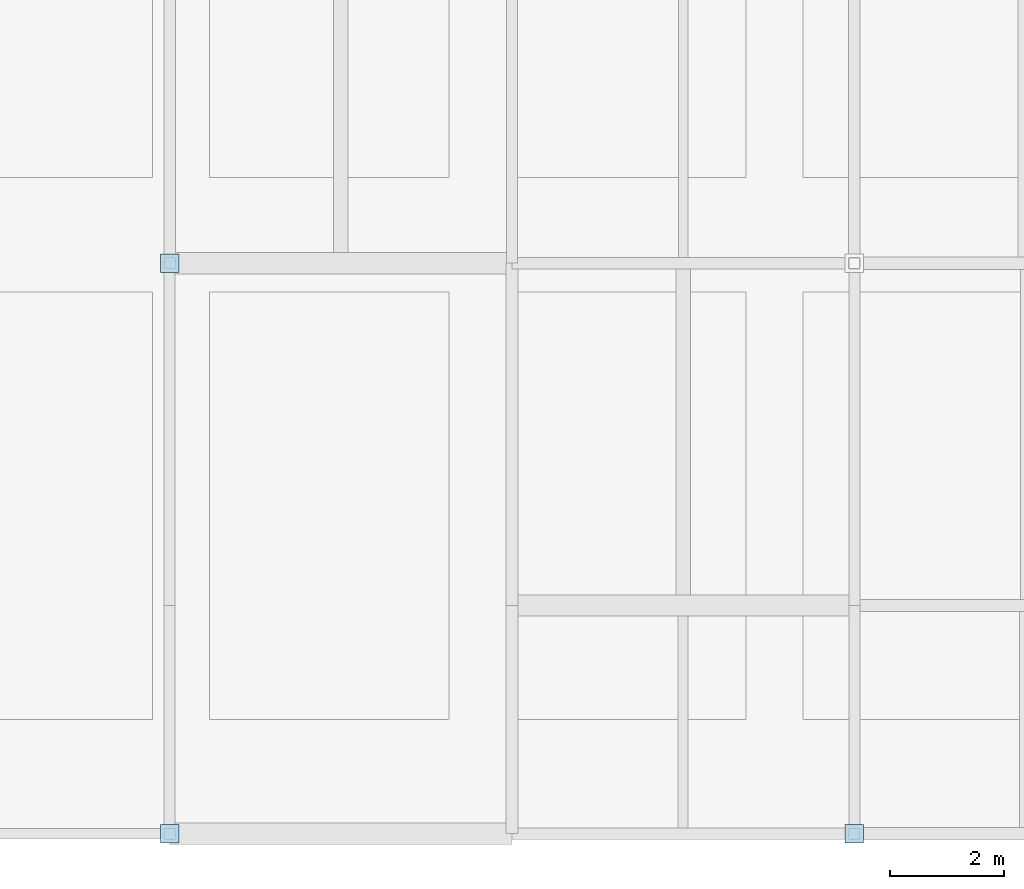
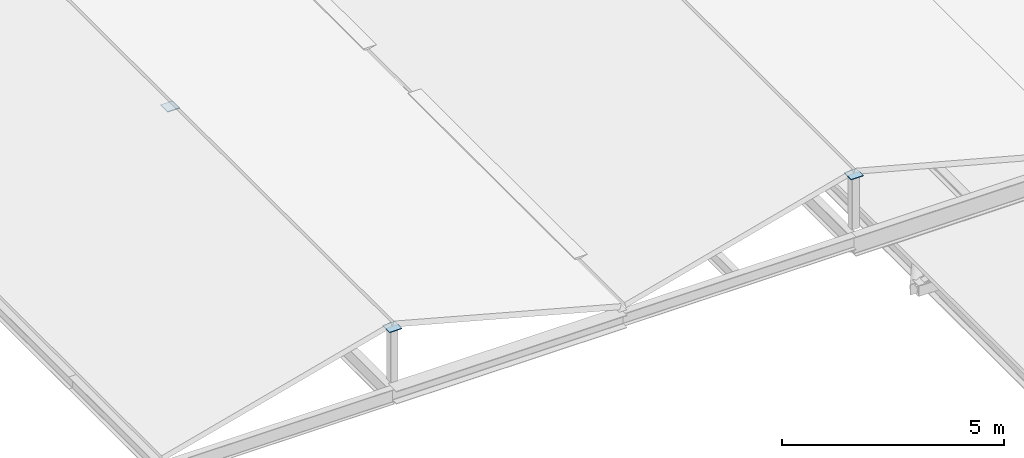
# One storey, part 8 of 27: 3 plates.
"""IFC4 building model written with IfcOpenShell, lengths in metres."""

import ifcopenshell
import ifcopenshell.guid

model = None  # the IFC model being written
_history = None  # IfcOwnerHistory: only IFC2X3 demands one
_inside = {}  # id of a spatial element -> (the spatial element, [elements in it])
_under = {}  # id of a project, library or spatial element -> (it, [spatial elements below it])
_declared = {}  # id of a project -> (the project, [libraries it declares])
_typed = {}  # id of a type object -> (the type object, [elements of that type])
_made_of = {}  # id of a material, layer set ... -> (it, [elements and type objects made of it])


def new_model(schema):
    """Start an empty IFC model of exactly this schema.

    Asked for "IFC4X3", IfcOpenShell would pick the latest addendum, in which some entities
    have other attributes; the version numbers below select the first issue.
    IFC2X3 requires an IfcOwnerHistory on every rooted entity: one is made here for all.
    """
    global model, _history
    if schema == "IFC4X3":
        model = ifcopenshell.file(schema_version=(4, 3, 0, 0))
    else:
        model = ifcopenshell.file(schema=schema)
    _inside.clear()
    _under.clear()
    _declared.clear()
    _typed.clear()
    _made_of.clear()
    _history = None
    if model.schema == "IFC2X3":
        org = make("IfcOrganization", Name="unknown")
        user = make(
            "IfcPersonAndOrganization",
            ThePerson=make("IfcPerson", FamilyName="unknown"),
            TheOrganization=org,
        )
        app = make(
            "IfcApplication",
            ApplicationDeveloper=org,
            Version="unknown",
            ApplicationFullName="unknown",
            ApplicationIdentifier="unknown",
        )
        _history = make(
            "IfcOwnerHistory",
            OwningUser=user,
            OwningApplication=app,
            ChangeAction="ADDED",
            CreationDate=0,
        )
    return model


def make(cls, **values):
    """One entity of the class cls with the attributes given. An attribute that is None is left unset."""
    return model.create_entity(
        cls, **{name: value for name, value in values.items() if value is not None}
    )


def rooted(cls, **values):
    """An entity with a GlobalId (a new one), such as an element, a storey or a relation."""
    return make(cls, GlobalId=ifcopenshell.guid.new(), OwnerHistory=_history, **values)


def si_unit(unit_type, name, prefix=None):
    """IfcSIUnit, for example si_unit("LENGTHUNIT", "METRE", prefix="MILLI")."""
    return make("IfcSIUnit", UnitType=unit_type, Prefix=prefix, Name=name)


def assignment(units):
    """IfcUnitAssignment: the units of a project."""
    return None if units is None else make("IfcUnitAssignment", Units=units)


def point(xyz):
    """IfcCartesianPoint."""
    return None if xyz is None else make("IfcCartesianPoint", Coordinates=xyz)


def direction(xyz):
    """IfcDirection."""
    return None if xyz is None else make("IfcDirection", DirectionRatios=xyz)


def frame(location, z_axis=None, x_axis=None):
    """IfcAxis2Placement3D, a coordinate frame: its origin and axes. An axis left out is left unset."""
    return make(
        "IfcAxis2Placement3D",
        Location=point(location),
        Axis=direction(z_axis),
        RefDirection=direction(x_axis),
    )


def frame_2d(location, x_axis=None):
    """IfcAxis2Placement2D, a coordinate frame in the plane: its origin and x axis."""
    return make(
        "IfcAxis2Placement2D", Location=point(location), RefDirection=direction(x_axis)
    )


def origin():
    """The frame at (0, 0, 0) with its axes left unset."""
    return frame((0.0, 0.0, 0.0))


def origin_2d():
    """The frame at (0, 0) in the plane with its x axis left unset."""
    return frame_2d((0.0, 0.0))


def place(relative_to, where):
    """IfcLocalPlacement: puts the frame where relative to a parent placement (None: the world)."""
    return make(
        "IfcLocalPlacement", PlacementRelTo=relative_to, RelativePlacement=where
    )


def context(
    kind, dimensions, precision=None, world=None, true_north=None, identifier=None
):
    """IfcGeometricRepresentationContext, for example the 3D "Model" context."""
    return make(
        "IfcGeometricRepresentationContext",
        ContextIdentifier=identifier,
        ContextType=kind,
        CoordinateSpaceDimension=dimensions,
        Precision=precision,
        WorldCoordinateSystem=world,
        TrueNorth=true_north,
    )


def subcontext(parent, identifier, kind, view, scale=None):
    """IfcGeometricRepresentationSubContext, for example "Body" below "Model"."""
    return make(
        "IfcGeometricRepresentationSubContext",
        ContextIdentifier=identifier,
        ContextType=kind,
        ParentContext=parent,
        TargetScale=scale,
        TargetView=view,
    )


def project(units=None, contexts=None):
    """IfcProject with its units and contexts."""
    return rooted(
        "IfcProject",
        Name="project",
        RepresentationContexts=contexts,
        UnitsInContext=assignment(units),
    )


def spatial(cls, under=None, at=None, **own):
    """A site, building, storey or space (cls), placed at a placement, below another one or the project."""
    s = rooted(cls, ObjectPlacement=at, **own)
    if under is not None:
        _under.setdefault(under.id(), (under, []))[1].append(s)
    return s


def profile(cls, at=None, kind="AREA", **sizes):
    """A parametric profile (cls). Its sizes go by their IFC names, for example OverallWidth=200.0."""
    return make(cls, ProfileType=kind, Position=at, **sizes)


def rectangle(**sizes):
    """IfcRectangleProfileDef."""
    return profile("IfcRectangleProfileDef", **sizes)


def extrude(swept, where, along, depth):
    """IfcExtrudedAreaSolid: the profile swept, set in the frame where, extruded along a direction by depth."""
    return make(
        "IfcExtrudedAreaSolid",
        SweptArea=swept,
        Position=where,
        ExtrudedDirection=direction(along),
        Depth=depth,
    )


def shape(context_of_items, identifier, shape_type, items):
    """IfcShapeRepresentation: the items that make up one representation, for example the "Body"."""
    return make(
        "IfcShapeRepresentation",
        ContextOfItems=context_of_items,
        RepresentationIdentifier=identifier,
        RepresentationType=shape_type,
        Items=items,
    )


def material(Name=None, Category=None):
    """IfcMaterial."""
    return make("IfcMaterial", Name=Name, Category=Category)


def layer(
    of_material, thickness, ventilated=None, Name=None, Category=None, Priority=None
):
    """IfcMaterialLayer: one layer of a wall or slab, of a material (None: an air gap)."""
    return make(
        "IfcMaterialLayer",
        Material=of_material,
        LayerThickness=thickness,
        IsVentilated=ventilated,
        Name=Name,
        Category=Category,
        Priority=Priority,
    )


def layer_set(layers, Name=None):
    """IfcMaterialLayerSet."""
    return make("IfcMaterialLayerSet", MaterialLayers=layers, LayerSetName=Name)


def made_of(thing, what):
    """Note that an element or type object is made of a material, layer set ...; save() writes the relation."""
    if what is not None:
        _made_of.setdefault(what.id(), (what, []))[1].append(thing)
    return thing


def type_object(cls, material=None, **own):
    """A type object (cls), such as IfcWallType, which elements share."""
    return made_of(rooted(cls, **own), material)


def element(
    cls,
    number,
    at=None,
    inside=None,
    cuts=None,
    type_object=None,
    material=None,
    context=None,
    identifier="Body",
    shape_type=None,
    held_by="IfcProductDefinitionShape",
    body=None,
    shapes=None,
    **own,
):
    """One element of the class cls, such as IfcWall. Its Tag is "e" and its number.

    at: its placement. inside: the storey or other place that contains it. cuts: it is an
    opening in that element (IfcRelVoidsElement). A single representation is given by context,
    identifier, shape_type and body (its items); several are given by shapes. held_by: the class
    of the entity that holds the representations. save() writes the other relations.
    """
    e = rooted(cls, Tag="e%d" % number, ObjectPlacement=at, **own)
    if body is not None:
        shapes = [shape(context, identifier, shape_type, body)]
    if shapes is not None:
        e.Representation = make(held_by, Representations=shapes)
    if inside is not None:
        _inside.setdefault(inside.id(), (inside, []))[1].append(e)
    if cuts is not None:
        rooted(
            "IfcRelVoidsElement", RelatingBuildingElement=cuts, RelatedOpeningElement=e
        )
    if type_object is not None:
        _typed.setdefault(type_object.id(), (type_object, []))[1].append(e)
    return made_of(e, material)


def aggregate(whole, parts):
    """IfcRelAggregates: a whole, such as a stair, and the parts it consists of."""
    return rooted("IfcRelAggregates", RelatingObject=whole, RelatedObjects=parts)


def save(model, path):
    """Write the relations noted so far, then the file.

    IfcRelAggregates (storeys below a building ...), IfcRelContainedInSpatialStructure (elements
    in a storey), IfcRelDefinesByType, IfcRelAssociatesMaterial and IfcRelDeclares: one each for
    every whole, place, type object, material and project.
    """
    for whole, parts in _under.values():
        aggregate(whole, parts)
    for where, things in _inside.values():
        rooted(
            "IfcRelContainedInSpatialStructure",
            RelatedElements=things,
            RelatingStructure=where,
        )
    for kind, things in _typed.values():
        rooted("IfcRelDefinesByType", RelatedObjects=things, RelatingType=kind)
    for what, things in _made_of.values():
        rooted("IfcRelAssociatesMaterial", RelatedObjects=things, RelatingMaterial=what)
    for by, libraries in _declared.values():
        rooted("IfcRelDeclares", RelatingContext=by, RelatedDefinitions=libraries)
    model.write(path)


model = new_model("IFC4")

# Units and contexts
model_context = context("Model", 3, precision=1e-05, world=origin(), true_north=direction((0.0, 1.0)))
body_context = subcontext(model_context, "Body", "Model", "MODEL_VIEW")
ifc_project = project(units=[si_unit("LENGTHUNIT", "METRE"), si_unit("AREAUNIT", "SQUARE_METRE"), si_unit("VOLUMEUNIT", "CUBIC_METRE"), si_unit("PLANEANGLEUNIT", "RADIAN"), si_unit("MASSUNIT", "GRAM", prefix="KILO")], contexts=[model_context])

# Site, building, storey
site_placement = place(None, origin())
site = spatial("IfcSite", under=ifc_project, at=site_placement, CompositionType="ELEMENT")
building_placement = place(site_placement, origin())
building = spatial("IfcBuilding", under=site, at=building_placement, Name="Verrall Gate Interchange", CompositionType="ELEMENT")
storey_placement = place(building_placement, frame((0.0, 0.0, 32.800048828125)))
storey = spatial("IfcBuildingStorey", under=building, at=storey_placement, Name="RF", CompositionType="ELEMENT", Elevation=32.800048828125)

# Plates
ifc_material = material(Name="Structural Steel CSA G40.21 350WT Cat 4", Category="steel")
ifc_layer = layer(ifc_material, 0.02001953125)
ifc_layer_set = layer_set([ifc_layer], Name="Structural Steel CSA G40.21 350WT Cat 4")
plate_type = type_object("IfcPlateType", Name="GP-01 Gusset Plate 20", PredefinedType="SHEET", material=ifc_layer_set)
for number, where, z_axis, x_axis, name in (
    (1, (12.0, 12.0, 1.429931640625), (0.0, 0.0, 1.0), (1.0, 0.0, 0.0), "RF King-Post Cap Plate 001"),
    (2, (12.0, 22.0, 1.429931640625), (0.0, 0.0, 1.0), (1.0, 0.0, 0.0), "RF King-Post Cap Plate 002"),
    (3, (24.0, 12.0, 1.429931640625), (0.0, 0.0, 1.0), (1.0, 0.0, 0.0), "RF King-Post Cap Plate 005"),
):
    element("IfcPlate", number, at=place(storey_placement, frame(where, z_axis=z_axis, x_axis=x_axis)), inside=storey, type_object=plate_type, Name=name, PredefinedType="SHEET", context=body_context, shape_type="SweptSolid", body=[
        extrude(rectangle(XDim=0.320068359375, YDim=0.320068359375, at=origin_2d()), origin(), (0.0, 0.0, 1.0), 0.02001953125),
    ])

save(model, "model.ifc")
